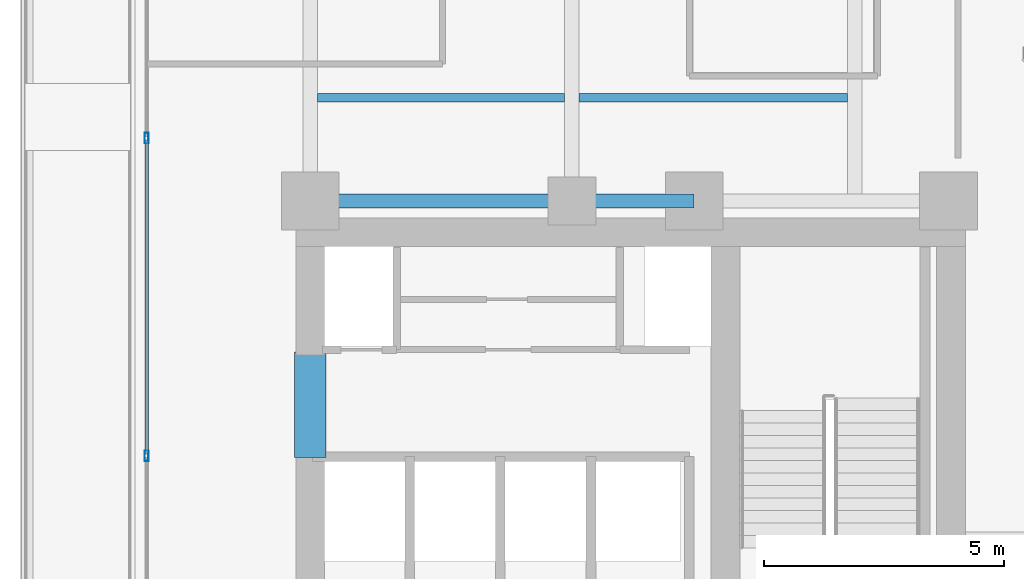
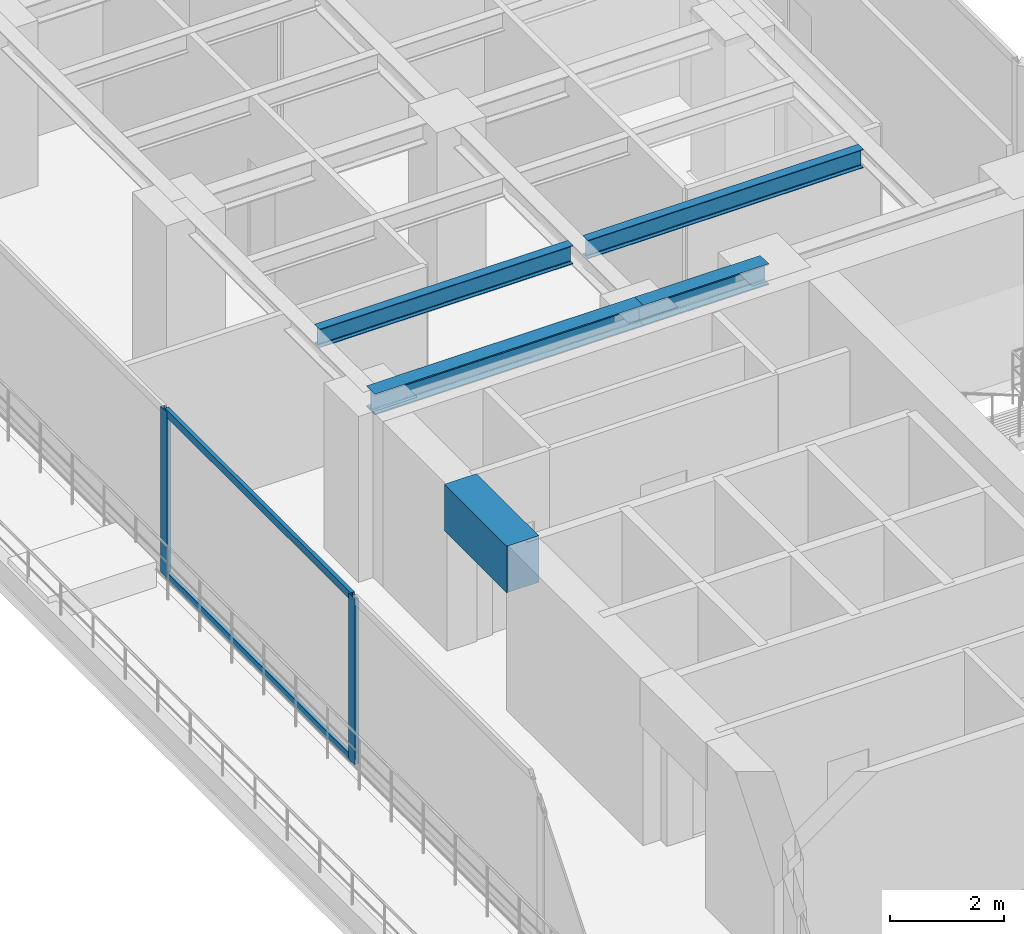
# One storey, part 6 of 28: 5 beams, 4 members, 1 element without a shape of its own.
"""IFC4 building model written with IfcOpenShell, lengths in metres."""

from ifc_helpers import new_model, si_unit, direction, frame, origin, origin_with_axes, origin_2d, place, context, subcontext, project, spatial, rectangle, hollow_rectangle, i_section, extrude, source, transform, mapped, material, layer, layer_set, material_profile, profile_set, type_object, element, aggregate, save


model = new_model("IFC4")

# Units and contexts
model_context = context("Model", 3, precision=1e-05, world=origin(), true_north=direction((0.0, 1.0)))
body_context = subcontext(model_context, "Body", "Model", "MODEL_VIEW")
ifc_project = project(units=[si_unit("LENGTHUNIT", "METRE"), si_unit("AREAUNIT", "SQUARE_METRE"), si_unit("VOLUMEUNIT", "CUBIC_METRE"), si_unit("PLANEANGLEUNIT", "RADIAN"), si_unit("MASSUNIT", "GRAM", prefix="KILO")], contexts=[model_context])

# Site, building, storey
site_placement = place(None, origin())
site = spatial("IfcSite", under=ifc_project, at=site_placement, CompositionType="ELEMENT")
building_placement = place(site_placement, origin())
building = spatial("IfcBuilding", under=site, at=building_placement, Name="Kolvaren Waterfront Exchange", CompositionType="ELEMENT")
storey_placement = place(building_placement, frame((0.0, 0.0, 146.199951171875)))
storey = spatial("IfcBuildingStorey", under=building, at=storey_placement, Name="L37", CompositionType="ELEMENT", Elevation=146.199951171875)

# Beams
ifc_material_1 = material(Name="Steel S355", Category="steel")
ifc_material_profile_1 = material_profile(ifc_material_1, i_section(OverallWidth=0.300048828125, OverallDepth=0.449951171875, WebThickness=0.013916015625, FlangeThickness=0.02587890625, FilletRadius=0.027099609375, at=origin_2d()), Name="HEB450")
ifc_profile_set_1 = profile_set([ifc_material_profile_1], Name="Steel S355")
beam_type_1 = type_object("IfcBeamType", Name="STR-BM-HEB450", PredefinedType="BEAM", material=ifc_profile_set_1)
beam_1_placement = place(storey_placement, frame((7.449951171875, 24.449951171875, 3.3349609375), z_axis=(1.0, 0.0, 0.0), x_axis=(0.0, 1.0, 0.0)))
element("IfcBeam", 1, at=beam_1_placement, inside=storey, type_object=beam_type_1, Name="L37 north-arm girder 1A", PredefinedType="BEAM", context=body_context, shape_type="SweptSolid", body=[
    extrude(i_section(OverallWidth=0.300048828125, OverallDepth=0.449951171875, WebThickness=0.013916015625, FlangeThickness=0.02587890625, FilletRadius=0.027099609375, at=origin_2d()), origin(), (0.0, 0.0, 1.0), 5.449951171875),
])
beam_2_placement = place(storey_placement, frame((12.89990234375, 24.449951171875, 3.3349609375), z_axis=(1.0, 0.0, 0.0), x_axis=(0.0, 1.0, 0.0)))
element("IfcBeam", 2, at=beam_2_placement, inside=storey, type_object=beam_type_1, Name="L37 north-arm girder 1B", PredefinedType="BEAM", context=body_context, shape_type="SweptSolid", body=[
    extrude(i_section(OverallWidth=0.300048828125, OverallDepth=0.449951171875, WebThickness=0.013916015625, FlangeThickness=0.02587890625, FilletRadius=0.027099609375, at=origin_2d()), origin(), (0.0, 0.0, 1.0), 2.550048828125),
])
ifc_material_profile_2 = material_profile(ifc_material_1, i_section(OverallWidth=0.179931640625, OverallDepth=0.39990234375, WebThickness=0.008544921875, FlangeThickness=0.013427734375, FilletRadius=0.02099609375, at=origin_2d()), Name="IPE400")
ifc_profile_set_2 = profile_set([ifc_material_profile_2], Name="Steel S355")
beam_type_2 = type_object("IfcBeamType", Name="STR-BM-IPE400", PredefinedType="JOIST", material=ifc_profile_set_2)
beam_3_placement = place(storey_placement, frame((7.60205078125, 26.60009765625, 3.360107421875), z_axis=(1.0, 0.0, 0.0), x_axis=(0.0, 1.0, 0.0)))
element("IfcBeam", 3, at=beam_3_placement, inside=storey, type_object=beam_type_2, Name="L37 north-arm composite joist 1A", PredefinedType="JOIST", context=body_context, shape_type="SweptSolid", body=[
    extrude(i_section(OverallWidth=0.179931640625, OverallDepth=0.39990234375, WebThickness=0.008544921875, FlangeThickness=0.013427734375, FilletRadius=0.02099609375, at=origin_2d()), origin(), (0.0, 0.0, 1.0), 5.14599609375),
])
beam_4_placement = place(storey_placement, frame((13.052001953125, 26.60009765625, 3.360107421875), z_axis=(1.0, 0.0, 0.0), x_axis=(0.0, 1.0, 0.0)))
element("IfcBeam", 4, at=beam_4_placement, inside=storey, type_object=beam_type_2, Name="L37 north-arm composite joist 1B", PredefinedType="JOIST", context=body_context, shape_type="SweptSolid", body=[
    extrude(i_section(OverallWidth=0.179931640625, OverallDepth=0.39990234375, WebThickness=0.008544921875, FlangeThickness=0.013427734375, FilletRadius=0.02099609375, at=origin_2d()), origin(), (0.0, 0.0, 1.0), 5.595947265625),
])
ifc_material_2 = material(Name="Concrete C60/75", Category="concrete")
ifc_material_profile_3 = material_profile(ifc_material_2, rectangle(XDim=0.64990234375, YDim=1.0, at=origin_2d()), Name="RC-CB-1000x650")
ifc_profile_set_3 = profile_set([ifc_material_profile_3], Name="Concrete C60/75")
beam_type_3 = type_object("IfcBeamType", Name="STR-CB-1000", PredefinedType="SPANDREL", material=ifc_profile_set_3)
beam_5_placement = place(storey_placement, frame((7.449951171875, 19.10009765625, 3.06005859375), z_axis=(0.0, 1.0, 0.0), x_axis=(-1.0, 0.0, 0.0)))
element("IfcBeam", 5, at=beam_5_placement, inside=storey, type_object=beam_type_3, Name="L37 core coupling beam 5", PredefinedType="SPANDREL", context=body_context, shape_type="SweptSolid", body=[
    extrude(rectangle(XDim=0.64990234375, YDim=1.0, at=origin_2d()), origin(), (0.0, 0.0, 1.0), 2.199951171875),
])

# Curtain wall, members
ifc_material_3 = material(Name="Anodised aluminium 6063-T6", Category="aluminium")
ifc_layer = layer(ifc_material_3, 0.219970703125, Name="Anodised aluminium 6063-T6")
ifc_layer_set = layer_set([ifc_layer], Name="Anodised aluminium 6063-T6")
curtain_wall_type = type_object("IfcCurtainWallType", Name="ARC-CW-SYS2", PredefinedType="USERDEFINED", material=ifc_layer_set)
curtain_wall_placement = place(storey_placement, origin())
curtain_wall = element("IfcCurtainWall", 6, at=curtain_wall_placement, inside=storey, type_object=curtain_wall_type, Name="L37 stick curtain wall CW2 (CW-L37-W-1)", ObjectType="STICK CURTAIN WALL", PredefinedType="USERDEFINED")
ifc_material_profile_4 = material_profile(ifc_material_3, hollow_rectangle(XDim=0.080078125, YDim=0.219970703125, WallThickness=0.0048828125, at=origin_2d()), Name="ALU-MUL-220x80x5")
ifc_profile_set_4 = profile_set([ifc_material_profile_4], Name="Anodised aluminium 6063-T6")
member_type_1 = type_object("IfcMemberType", Name="ARC-CWM-220", PredefinedType="MULLION", material=ifc_profile_set_4)
shared_shape_1 = source(origin_with_axes(), body_context, "Body", "SweptSolid", [
    extrude(hollow_rectangle(XDim=0.080078125, YDim=0.219970703125, WallThickness=0.0048828125, at=origin_2d()), origin(), (0.0, 0.0, 1.0), 3.56005859375),
])
member_1_placement = place(storey_placement, frame((4.0400390625, 19.139892578125, 0.0), z_axis=(0.0, 0.0, 1.0), x_axis=(-1.0, 0.0, 0.0)))
member_1 = element("IfcMember", 7, at=member_1_placement, type_object=member_type_1, Name="CW2 mullion 3", PredefinedType="MULLION", context=body_context, shape_type="MappedRepresentation", body=[
    mapped(shared_shape_1, transform((0.0, 0.0, 0.0), x_axis=(1.0, 0.0, 0.0), y_axis=(0.0, 1.0, 0.0), z_axis=(0.0, 0.0, 1.0), scale=1.0)),
])
member_2_placement = place(storey_placement, frame((4.0400390625, 25.760009765625, 0.0), z_axis=(0.0, 0.0, 1.0), x_axis=(-1.0, 0.0, 0.0)))
member_2 = element("IfcMember", 8, at=member_2_placement, type_object=member_type_1, Name="CW2 mullion 4", PredefinedType="MULLION", context=body_context, shape_type="MappedRepresentation", body=[
    mapped(shared_shape_1, transform((0.0, 0.0, 0.0), x_axis=(1.0, 0.0, 0.0), y_axis=(0.0, 1.0, 0.0), z_axis=(0.0, 0.0, 1.0), scale=1.0)),
])
ifc_material_profile_5 = material_profile(ifc_material_3, hollow_rectangle(XDim=0.074951171875, YDim=0.159912109375, WallThickness=0.00439453125, at=origin_2d()), Name="ALU-TRN-160x75x4.5")
ifc_profile_set_5 = profile_set([ifc_material_profile_5], Name="Anodised aluminium 6063-T6")
member_type_2 = type_object("IfcMemberType", Name="ARC-CWT-160", PredefinedType="USERDEFINED", material=ifc_profile_set_5)
shared_shape_2 = source(origin_with_axes(), body_context, "Body", "SweptSolid", [
    extrude(hollow_rectangle(XDim=0.074951171875, YDim=0.159912109375, WallThickness=0.00439453125, at=origin_2d()), origin(), (0.0, 0.0, 1.0), 6.5400390625),
])
member_3_placement = place(storey_placement, frame((4.0400390625, 19.179931640625, 0.03759765625), z_axis=(0.0, 1.0, 0.0), x_axis=(-1.0, 0.0, 0.0)))
member_3 = element("IfcMember", 9, at=member_3_placement, type_object=member_type_2, Name="CW2 transom 3.1", ObjectType="TRANSOM", PredefinedType="USERDEFINED", context=body_context, shape_type="MappedRepresentation", body=[
    mapped(shared_shape_2, transform((0.0, 0.0, 0.0), x_axis=(1.0, 0.0, 0.0), y_axis=(0.0, 1.0, 0.0), z_axis=(0.0, 0.0, 1.0), scale=1.0)),
])
member_4_placement = place(storey_placement, frame((4.0400390625, 19.179931640625, 3.5224609375), z_axis=(0.0, 1.0, 0.0), x_axis=(-1.0, 0.0, 0.0)))
member_4 = element("IfcMember", 10, at=member_4_placement, type_object=member_type_2, Name="CW2 transom 3.2", ObjectType="TRANSOM", PredefinedType="USERDEFINED", context=body_context, shape_type="MappedRepresentation", body=[
    mapped(shared_shape_2, transform((0.0, 0.0, 0.0), x_axis=(1.0, 0.0, 0.0), y_axis=(0.0, 1.0, 0.0), z_axis=(0.0, 0.0, 1.0), scale=1.0)),
])
aggregate(curtain_wall, [member_1, member_2, member_3, member_4])

save(model, "model.ifc")
